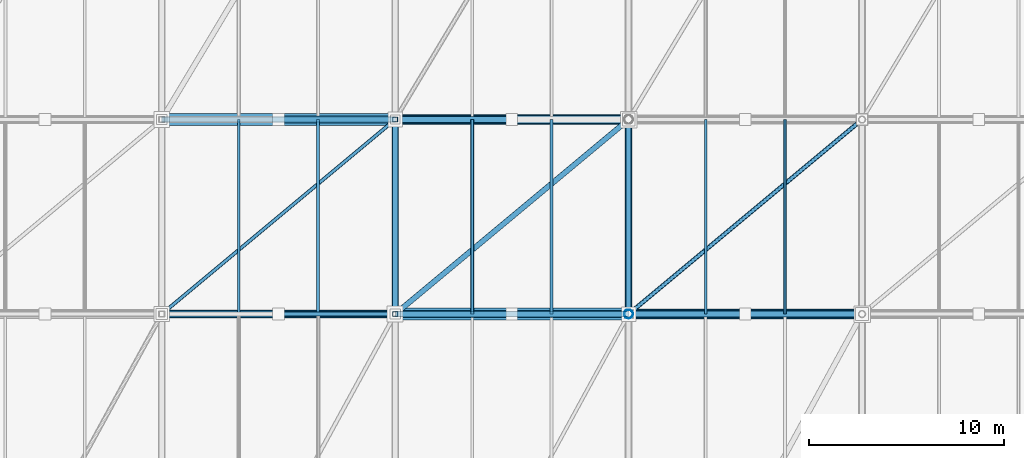
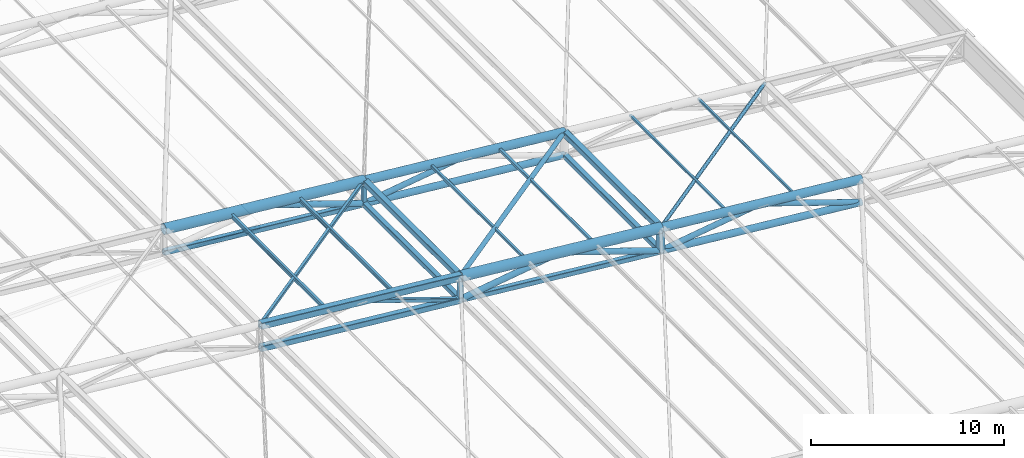
# One storey, part 21 of 44: 33 members.
"""IFC4 building model written with IfcOpenShell, lengths in metres."""

import ifcopenshell
import ifcopenshell.guid

model = None  # the IFC model being written
_history = None  # IfcOwnerHistory: only IFC2X3 demands one
_inside = {}  # id of a spatial element -> (the spatial element, [elements in it])
_under = {}  # id of a project, library or spatial element -> (it, [spatial elements below it])
_declared = {}  # id of a project -> (the project, [libraries it declares])
_typed = {}  # id of a type object -> (the type object, [elements of that type])
_made_of = {}  # id of a material, layer set ... -> (it, [elements and type objects made of it])


def new_model(schema):
    """Start an empty IFC model of exactly this schema.

    Asked for "IFC4X3", IfcOpenShell would pick the latest addendum, in which some entities
    have other attributes; the version numbers below select the first issue.
    IFC2X3 requires an IfcOwnerHistory on every rooted entity: one is made here for all.
    """
    global model, _history
    if schema == "IFC4X3":
        model = ifcopenshell.file(schema_version=(4, 3, 0, 0))
    else:
        model = ifcopenshell.file(schema=schema)
    _inside.clear()
    _under.clear()
    _declared.clear()
    _typed.clear()
    _made_of.clear()
    _history = None
    if model.schema == "IFC2X3":
        org = make("IfcOrganization", Name="unknown")
        user = make(
            "IfcPersonAndOrganization",
            ThePerson=make("IfcPerson", FamilyName="unknown"),
            TheOrganization=org,
        )
        app = make(
            "IfcApplication",
            ApplicationDeveloper=org,
            Version="unknown",
            ApplicationFullName="unknown",
            ApplicationIdentifier="unknown",
        )
        _history = make(
            "IfcOwnerHistory",
            OwningUser=user,
            OwningApplication=app,
            ChangeAction="ADDED",
            CreationDate=0,
        )
    return model


def make(cls, **values):
    """One entity of the class cls with the attributes given. An attribute that is None is left unset."""
    return model.create_entity(
        cls, **{name: value for name, value in values.items() if value is not None}
    )


def rooted(cls, **values):
    """An entity with a GlobalId (a new one), such as an element, a storey or a relation."""
    return make(cls, GlobalId=ifcopenshell.guid.new(), OwnerHistory=_history, **values)


def si_unit(unit_type, name, prefix=None):
    """IfcSIUnit, for example si_unit("LENGTHUNIT", "METRE", prefix="MILLI")."""
    return make("IfcSIUnit", UnitType=unit_type, Prefix=prefix, Name=name)


def assignment(units):
    """IfcUnitAssignment: the units of a project."""
    return None if units is None else make("IfcUnitAssignment", Units=units)


def point(xyz):
    """IfcCartesianPoint."""
    return None if xyz is None else make("IfcCartesianPoint", Coordinates=xyz)


def direction(xyz):
    """IfcDirection."""
    return None if xyz is None else make("IfcDirection", DirectionRatios=xyz)


def frame(location, z_axis=None, x_axis=None):
    """IfcAxis2Placement3D, a coordinate frame: its origin and axes. An axis left out is left unset."""
    return make(
        "IfcAxis2Placement3D",
        Location=point(location),
        Axis=direction(z_axis),
        RefDirection=direction(x_axis),
    )


def frame_2d(location, x_axis=None):
    """IfcAxis2Placement2D, a coordinate frame in the plane: its origin and x axis."""
    return make(
        "IfcAxis2Placement2D", Location=point(location), RefDirection=direction(x_axis)
    )


def origin():
    """The frame at (0, 0, 0) with its axes left unset."""
    return frame((0.0, 0.0, 0.0))


def origin_2d():
    """The frame at (0, 0) in the plane with its x axis left unset."""
    return frame_2d((0.0, 0.0))


def place(relative_to, where):
    """IfcLocalPlacement: puts the frame where relative to a parent placement (None: the world)."""
    return make(
        "IfcLocalPlacement", PlacementRelTo=relative_to, RelativePlacement=where
    )


def context(
    kind, dimensions, precision=None, world=None, true_north=None, identifier=None
):
    """IfcGeometricRepresentationContext, for example the 3D "Model" context."""
    return make(
        "IfcGeometricRepresentationContext",
        ContextIdentifier=identifier,
        ContextType=kind,
        CoordinateSpaceDimension=dimensions,
        Precision=precision,
        WorldCoordinateSystem=world,
        TrueNorth=true_north,
    )


def subcontext(parent, identifier, kind, view, scale=None):
    """IfcGeometricRepresentationSubContext, for example "Body" below "Model"."""
    return make(
        "IfcGeometricRepresentationSubContext",
        ContextIdentifier=identifier,
        ContextType=kind,
        ParentContext=parent,
        TargetScale=scale,
        TargetView=view,
    )


def project(units=None, contexts=None):
    """IfcProject with its units and contexts."""
    return rooted(
        "IfcProject",
        Name="project",
        RepresentationContexts=contexts,
        UnitsInContext=assignment(units),
    )


def spatial(cls, under=None, at=None, **own):
    """A site, building, storey or space (cls), placed at a placement, below another one or the project."""
    s = rooted(cls, ObjectPlacement=at, **own)
    if under is not None:
        _under.setdefault(under.id(), (under, []))[1].append(s)
    return s


def profile(cls, at=None, kind="AREA", **sizes):
    """A parametric profile (cls). Its sizes go by their IFC names, for example OverallWidth=200.0."""
    return make(cls, ProfileType=kind, Position=at, **sizes)


def hollow_rectangle(**sizes):
    """IfcRectangleHollowProfileDef."""
    return profile("IfcRectangleHollowProfileDef", **sizes)


def hollow_circle(**sizes):
    """IfcCircleHollowProfileDef."""
    return profile("IfcCircleHollowProfileDef", **sizes)


def i_section(**sizes):
    """IfcIShapeProfileDef."""
    return profile("IfcIShapeProfileDef", **sizes)


def extrude(swept, where, along, depth):
    """IfcExtrudedAreaSolid: the profile swept, set in the frame where, extruded along a direction by depth."""
    return make(
        "IfcExtrudedAreaSolid",
        SweptArea=swept,
        Position=where,
        ExtrudedDirection=direction(along),
        Depth=depth,
    )


def shape(context_of_items, identifier, shape_type, items):
    """IfcShapeRepresentation: the items that make up one representation, for example the "Body"."""
    return make(
        "IfcShapeRepresentation",
        ContextOfItems=context_of_items,
        RepresentationIdentifier=identifier,
        RepresentationType=shape_type,
        Items=items,
    )


def material(Name=None, Category=None):
    """IfcMaterial."""
    return make("IfcMaterial", Name=Name, Category=Category)


def material_profile(
    of_material, cross_section, Name=None, Category=None, Priority=None
):
    """IfcMaterialProfile: a cross section and its material."""
    return make(
        "IfcMaterialProfile",
        Name=Name,
        Material=of_material,
        Profile=cross_section,
        Priority=Priority,
        Category=Category,
    )


def profile_set(profiles, Name=None, composite=None):
    """IfcMaterialProfileSet."""
    return make(
        "IfcMaterialProfileSet",
        Name=Name,
        MaterialProfiles=profiles,
        CompositeProfile=composite,
    )


def made_of(thing, what):
    """Note that an element or type object is made of a material, layer set ...; save() writes the relation."""
    if what is not None:
        _made_of.setdefault(what.id(), (what, []))[1].append(thing)
    return thing


def type_object(cls, material=None, **own):
    """A type object (cls), such as IfcWallType, which elements share."""
    return made_of(rooted(cls, **own), material)


def element(
    cls,
    number,
    at=None,
    inside=None,
    cuts=None,
    type_object=None,
    material=None,
    context=None,
    identifier="Body",
    shape_type=None,
    held_by="IfcProductDefinitionShape",
    body=None,
    shapes=None,
    **own,
):
    """One element of the class cls, such as IfcWall. Its Tag is "e" and its number.

    at: its placement. inside: the storey or other place that contains it. cuts: it is an
    opening in that element (IfcRelVoidsElement). A single representation is given by context,
    identifier, shape_type and body (its items); several are given by shapes. held_by: the class
    of the entity that holds the representations. save() writes the other relations.
    """
    e = rooted(cls, Tag="e%d" % number, ObjectPlacement=at, **own)
    if body is not None:
        shapes = [shape(context, identifier, shape_type, body)]
    if shapes is not None:
        e.Representation = make(held_by, Representations=shapes)
    if inside is not None:
        _inside.setdefault(inside.id(), (inside, []))[1].append(e)
    if cuts is not None:
        rooted(
            "IfcRelVoidsElement", RelatingBuildingElement=cuts, RelatedOpeningElement=e
        )
    if type_object is not None:
        _typed.setdefault(type_object.id(), (type_object, []))[1].append(e)
    return made_of(e, material)


def aggregate(whole, parts):
    """IfcRelAggregates: a whole, such as a stair, and the parts it consists of."""
    return rooted("IfcRelAggregates", RelatingObject=whole, RelatedObjects=parts)


def save(model, path):
    """Write the relations noted so far, then the file.

    IfcRelAggregates (storeys below a building ...), IfcRelContainedInSpatialStructure (elements
    in a storey), IfcRelDefinesByType, IfcRelAssociatesMaterial and IfcRelDeclares: one each for
    every whole, place, type object, material and project.
    """
    for whole, parts in _under.values():
        aggregate(whole, parts)
    for where, things in _inside.values():
        rooted(
            "IfcRelContainedInSpatialStructure",
            RelatedElements=things,
            RelatingStructure=where,
        )
    for kind, things in _typed.values():
        rooted("IfcRelDefinesByType", RelatedObjects=things, RelatingType=kind)
    for what, things in _made_of.values():
        rooted("IfcRelAssociatesMaterial", RelatedObjects=things, RelatingMaterial=what)
    for by, libraries in _declared.values():
        rooted("IfcRelDeclares", RelatingContext=by, RelatedDefinitions=libraries)
    model.write(path)


model = new_model("IFC4")

# Units and contexts
model_context = context("Model", 3, precision=1e-05, world=origin(), true_north=direction((0.0, 1.0)))
body_context = subcontext(model_context, "Body", "Model", "MODEL_VIEW")
ifc_project = project(units=[si_unit("LENGTHUNIT", "METRE"), si_unit("AREAUNIT", "SQUARE_METRE"), si_unit("VOLUMEUNIT", "CUBIC_METRE"), si_unit("PLANEANGLEUNIT", "RADIAN"), si_unit("MASSUNIT", "GRAM", prefix="KILO")], contexts=[model_context])

# Site, building, storey
site_placement = place(None, origin())
site = spatial("IfcSite", under=ifc_project, at=site_placement, CompositionType="ELEMENT")
building_placement = place(site_placement, origin())
building = spatial("IfcBuilding", under=site, at=building_placement, Name="Brinegate Civic Arena", CompositionType="ELEMENT")
storey_placement = place(building_placement, frame((0.0, 0.0, 29.39990234375)))
storey = spatial("IfcBuildingStorey", under=building, at=storey_placement, Name="RF", CompositionType="ELEMENT", Elevation=29.39990234375)

# Members
ifc_material = material(Name="Steel S355", Category="steel")
ifc_material_profile_1 = material_profile(ifc_material, hollow_rectangle(XDim=0.139892578125, YDim=0.139892578125, WallThickness=0.008056640625, InnerFilletRadius=0.008056640625, OuterFilletRadius=0.01611328125, at=origin_2d()), Name="SHS140X8")
ifc_profile_set_1 = profile_set([ifc_material_profile_1], Name="Steel S355")
member_type_1 = type_object("IfcMemberType", Name="RF-PURLIN-SHS140", PredefinedType="PURLIN", material=ifc_profile_set_1)
for number, where, z_axis, x_axis, name in (
    (1, (135.9599609375, 42.0, 3.47412109375), (0.0, 1.0, 0.0), (-1.0, 0.0, 0.0), "Roof Purlin RFP-051"),
    (2, (140.0400390625, 42.0, 3.091064453125), (0.0, 1.0, 0.0), (-1.0, 0.0, 0.0), "Roof Purlin RFP-052"),
):
    element("IfcMember", number, at=place(storey_placement, frame(where, z_axis=z_axis, x_axis=x_axis)), inside=storey, type_object=member_type_1, Name=name, PredefinedType="PURLIN", context=body_context, shape_type="SweptSolid", body=[
        extrude(hollow_rectangle(XDim=0.139892578125, YDim=0.139892578125, WallThickness=0.008056640625, InnerFilletRadius=0.008056640625, OuterFilletRadius=0.01611328125, at=origin_2d()), origin(), (0.0, 0.0, 1.0), 10.0),
    ])
ifc_material_profile_2 = material_profile(ifc_material, hollow_rectangle(XDim=0.159912109375, YDim=0.159912109375, WallThickness=0.008056640625, InnerFilletRadius=0.008056640625, OuterFilletRadius=0.01611328125, at=origin_2d()), Name="SHS160X8")
ifc_profile_set_2 = profile_set([ifc_material_profile_2], Name="Steel S355")
member_type_2 = type_object("IfcMemberType", Name="RF-PURLIN-SHS160", PredefinedType="PURLIN", material=ifc_profile_set_2)
for number, where, z_axis, x_axis, name in (
    (3, (123.9599609375, 42.0, 4.589111328125), (0.0, 1.0, 0.0), (-1.0, 0.0, 0.0), "Roof Purlin RFP-049"),
    (4, (128.0400390625, 42.0, 4.2060546875), (0.0, 1.0, 0.0), (-1.0, 0.0, 0.0), "Roof Purlin RFP-050"),
):
    element("IfcMember", number, at=place(storey_placement, frame(where, z_axis=z_axis, x_axis=x_axis)), inside=storey, type_object=member_type_2, Name=name, PredefinedType="PURLIN", context=body_context, shape_type="SweptSolid", body=[
        extrude(hollow_rectangle(XDim=0.159912109375, YDim=0.159912109375, WallThickness=0.008056640625, InnerFilletRadius=0.008056640625, OuterFilletRadius=0.01611328125, at=origin_2d()), origin(), (0.0, 0.0, 1.0), 10.0),
    ])
ifc_material_profile_3 = material_profile(ifc_material, i_section(OverallWidth=0.14794921875, OverallDepth=0.26611328125, WebThickness=0.008056640625, FlangeThickness=0.012939453125, FilletRadius=0.011962890625, at=origin_2d()), Name="W250X45")
ifc_profile_set_3 = profile_set([ifc_material_profile_3], Name="Steel S355")
member_type_3 = type_object("IfcMemberType", Name="RF-PURLIN-W250", PredefinedType="PURLIN", material=ifc_profile_set_3)
for number, where, z_axis, x_axis, name in (
    (5, (111.9599609375, 42.0, 5.6611328125), (0.0, 1.0, 0.0), (-1.0, 0.0, 0.0), "Roof Purlin RFP-047"),
    (6, (116.0400390625, 42.0, 5.278076171875), (0.0, 1.0, 0.0), (-1.0, 0.0, 0.0), "Roof Purlin RFP-048"),
):
    element("IfcMember", number, at=place(storey_placement, frame(where, z_axis=z_axis, x_axis=x_axis)), inside=storey, type_object=member_type_3, Name=name, PredefinedType="PURLIN", context=body_context, shape_type="SweptSolid", body=[
        extrude(i_section(OverallWidth=0.14794921875, OverallDepth=0.26611328125, WebThickness=0.008056640625, FlangeThickness=0.012939453125, FilletRadius=0.011962890625, at=origin_2d()), origin(), (0.0, 0.0, 1.0), 10.0),
    ])
ifc_material_profile_4 = material_profile(ifc_material, hollow_circle(Radius=0.109619140625, WallThickness=0.010009765625, at=origin_2d()), Name="CHS219X10")
ifc_profile_set_4 = profile_set([ifc_material_profile_4], Name="Steel S355")
member_type_4 = type_object("IfcMemberType", Name="SF-BRACE-CHS219", PredefinedType="BRACE", material=ifc_profile_set_4)
member_1_placement = place(storey_placement, frame((132.0, 42.0, 3.800048828125), z_axis=(0.766236619907, 0.638530516589, -0.071834683116), x_axis=(-0.640184399664, 0.768221279597, 0.0)))
element("IfcMember", 7, at=member_1_placement, inside=storey, type_object=member_type_4, Name="Roof Plan Diagonal Brace PL-3-8", PredefinedType="BRACE", context=body_context, shape_type="SweptSolid", body=[
    extrude(hollow_circle(Radius=0.109619140625, WallThickness=0.010009765625, at=origin_2d()), origin(), (0.0, 0.0, 1.0), 15.660888671875),
])
ifc_material_profile_5 = material_profile(ifc_material, hollow_circle(Radius=0.136474609375, WallThickness=0.011962890625, at=origin_2d()), Name="CHS273X12")
ifc_profile_set_5 = profile_set([ifc_material_profile_5], Name="Steel S355")
member_type_5 = type_object("IfcMemberType", Name="SF-BRACE-CHS273", PredefinedType="BRACE", material=ifc_profile_set_5)
member_2_placement = place(storey_placement, frame((120.0, 42.0, 4.925048828125), z_axis=(0.766236619907, 0.638530516589, -0.071834683116), x_axis=(-0.640184399664, 0.768221279597, 0.0)))
element("IfcMember", 8, at=member_2_placement, inside=storey, type_object=member_type_5, Name="Roof Plan Diagonal Brace PL-3-7", PredefinedType="BRACE", context=body_context, shape_type="SweptSolid", body=[
    extrude(hollow_circle(Radius=0.136474609375, WallThickness=0.011962890625, at=origin_2d()), origin(), (0.0, 0.0, 1.0), 15.660888671875),
])
ifc_material_profile_6 = material_profile(ifc_material, hollow_circle(Radius=0.162109375, WallThickness=0.011962890625, at=origin_2d()), Name="CHS324X12")
ifc_profile_set_6 = profile_set([ifc_material_profile_6], Name="Steel S355")
member_type_6 = type_object("IfcMemberType", Name="SF-BRACE-CHS324", PredefinedType="BRACE", material=ifc_profile_set_6)
member_3_placement = place(storey_placement, frame((132.0, 42.0, 2.35009765625), z_axis=(0.989226142737, 0.0, 0.1463954867), x_axis=(0.0, 1.0, 0.0)))
element("IfcMember", 9, at=member_3_placement, inside=storey, type_object=member_type_6, Name="Space Frame Web Brace D1-3-8", PredefinedType="BRACE", context=body_context, shape_type="SweptSolid", body=[
    extrude(hollow_circle(Radius=0.162109375, WallThickness=0.011962890625, at=origin_2d()), origin(), (0.0, 0.0, 1.0), 6.0654296875),
])
member_4_placement = place(storey_placement, frame((138.0, 42.0, 3.238037109375), z_axis=(0.948068139281, 0.0, -0.318067293635), x_axis=(0.0, 1.0, 0.0)))
element("IfcMember", 10, at=member_4_placement, inside=storey, type_object=member_type_6, Name="Space Frame Web Brace D2-3-8", PredefinedType="BRACE", context=body_context, shape_type="SweptSolid", body=[
    extrude(hollow_circle(Radius=0.162109375, WallThickness=0.011962890625, at=origin_2d()), origin(), (0.0, 0.0, 1.0), 6.32861328125),
])
member_5_placement = place(storey_placement, frame((120.0, 52.0, 3.47509765625), z_axis=(0.989226142737, 0.0, 0.1463954867), x_axis=(0.0, 1.0, 0.0)))
element("IfcMember", 11, at=member_5_placement, inside=storey, type_object=member_type_6, Name="Space Frame Web Brace D1-4-7", PredefinedType="BRACE", context=body_context, shape_type="SweptSolid", body=[
    extrude(hollow_circle(Radius=0.162109375, WallThickness=0.011962890625, at=origin_2d()), origin(), (0.0, 0.0, 1.0), 6.0654296875),
])
ifc_material_profile_7 = material_profile(ifc_material, hollow_circle(Radius=0.177978515625, WallThickness=0.013916015625, at=origin_2d()), Name="CHS356X14")
ifc_profile_set_7 = profile_set([ifc_material_profile_7], Name="Steel S355")
member_type_7 = type_object("IfcMemberType", Name="SF-BRACE-CHS356", PredefinedType="BRACE", material=ifc_profile_set_7)
member_6_placement = place(storey_placement, frame((120.0, 42.0, 3.47509765625), z_axis=(0.989226142737, 0.0, 0.1463954867), x_axis=(0.0, 1.0, 0.0)))
element("IfcMember", 12, at=member_6_placement, inside=storey, type_object=member_type_7, Name="Space Frame Web Brace D1-3-7", PredefinedType="BRACE", context=body_context, shape_type="SweptSolid", body=[
    extrude(hollow_circle(Radius=0.177978515625, WallThickness=0.013916015625, at=origin_2d()), origin(), (0.0, 0.0, 1.0), 6.0654296875),
])
for number, where, z_axis, x_axis, name in (
    (13, (126.0, 42.0, 4.363037109375), (0.948068139281, 0.0, -0.318067293635), (0.0, 1.0, 0.0), "Space Frame Web Brace D2-3-7"),
    (14, (114.0, 52.0, 5.488037109375), (0.948068139281, 0.0, -0.318067293635), (0.0, 1.0, 0.0), "Space Frame Web Brace D2-4-6"),
):
    element("IfcMember", number, at=place(storey_placement, frame(where, z_axis=z_axis, x_axis=x_axis)), inside=storey, type_object=member_type_7, Name=name, PredefinedType="BRACE", context=body_context, shape_type="SweptSolid", body=[
        extrude(hollow_circle(Radius=0.177978515625, WallThickness=0.013916015625, at=origin_2d()), origin(), (0.0, 0.0, 1.0), 6.32861328125),
    ])
ifc_material_profile_8 = material_profile(ifc_material, hollow_rectangle(XDim=0.179931640625, YDim=0.179931640625, WallThickness=0.010009765625, InnerFilletRadius=0.010009765625, OuterFilletRadius=0.02001953125, at=origin_2d()), Name="SHS180X10")
ifc_profile_set_8 = profile_set([ifc_material_profile_8], Name="Steel S355")
member_type_8 = type_object("IfcMemberType", Name="SF-BRACE-SHS180", PredefinedType="BRACE", material=ifc_profile_set_8)
member_7_placement = place(storey_placement, frame((108.0, 42.0, 6.050048828125), z_axis=(0.766236619907, 0.638530516589, -0.071834683116), x_axis=(-0.640184399664, 0.768221279597, 0.0)))
element("IfcMember", 15, at=member_7_placement, inside=storey, type_object=member_type_8, Name="Roof Plan Diagonal Brace PL-3-6", PredefinedType="BRACE", context=body_context, shape_type="SweptSolid", body=[
    extrude(hollow_rectangle(XDim=0.179931640625, YDim=0.179931640625, WallThickness=0.010009765625, InnerFilletRadius=0.010009765625, OuterFilletRadius=0.02001953125, at=origin_2d()), origin(), (0.0, 0.0, 1.0), 15.660888671875),
])
ifc_material_profile_9 = material_profile(ifc_material, hollow_rectangle(XDim=0.219970703125, YDim=0.219970703125, WallThickness=0.011962890625, InnerFilletRadius=0.011962890625, OuterFilletRadius=0.02392578125, at=origin_2d()), Name="SHS220X12")
ifc_profile_set_9 = profile_set([ifc_material_profile_9], Name="Steel S355")
member_type_9 = type_object("IfcMemberType", Name="SF-BRACE-SHS220", PredefinedType="BRACE", material=ifc_profile_set_9)
member_8_placement = place(storey_placement, frame((114.0, 42.0, 5.488037109375), z_axis=(0.948068139281, 0.0, -0.318067293635), x_axis=(0.0, 1.0, 0.0)))
element("IfcMember", 16, at=member_8_placement, inside=storey, type_object=member_type_9, Name="Space Frame Web Brace D2-3-6", PredefinedType="BRACE", context=body_context, shape_type="SweptSolid", body=[
    extrude(hollow_rectangle(XDim=0.219970703125, YDim=0.219970703125, WallThickness=0.011962890625, InnerFilletRadius=0.011962890625, OuterFilletRadius=0.02392578125, at=origin_2d()), origin(), (0.0, 0.0, 1.0), 6.32861328125),
])
ifc_material_profile_10 = material_profile(ifc_material, hollow_circle(Radius=0.202880859375, WallThickness=0.01611328125, at=origin_2d()), Name="CHS406X16")
ifc_profile_set_10 = profile_set([ifc_material_profile_10], Name="Steel S355")
member_type_10 = type_object("IfcMemberType", Name="SF-CHORD-CHS406", PredefinedType="CHORD", material=ifc_profile_set_10)
for number, where, z_axis, x_axis, name in (
    (17, (132.0, 42.0, 2.35009765625), (0.995634226059, 0.0, -0.093340708693), (0.0, 1.0, 0.0), "Space Frame Bottom Chord BX-3-8"),
    (18, (120.0, 52.0, 3.47509765625), (0.995634226059, 0.0, -0.093340708693), (0.0, 1.0, 0.0), "Space Frame Bottom Chord BX-4-7"),
):
    element("IfcMember", number, at=place(storey_placement, frame(where, z_axis=z_axis, x_axis=x_axis)), inside=storey, type_object=member_type_10, Name=name, PredefinedType="CHORD", context=body_context, shape_type="SweptSolid", body=[
        extrude(hollow_circle(Radius=0.202880859375, WallThickness=0.01611328125, at=origin_2d()), origin(), (0.0, 0.0, 1.0), 12.052734375),
    ])
ifc_material_profile_11 = material_profile(ifc_material, hollow_circle(Radius=0.25390625, WallThickness=0.02001953125, at=origin_2d()), Name="CHS508X20")
ifc_profile_set_11 = profile_set([ifc_material_profile_11], Name="Steel S355")
member_type_11 = type_object("IfcMemberType", Name="SF-CHORD-CHS508", PredefinedType="CHORD", material=ifc_profile_set_11)
for number, where, z_axis, x_axis, name in (
    (19, (132.0, 42.0, 3.800048828125), (0.995634226059, 0.0, -0.093340708693), (0.0, 1.0, 0.0), "Space Frame Top Chord TX-3-8"),
    (20, (120.0, 52.0, 4.925048828125), (0.995634226059, 0.0, -0.093340708693), (0.0, 1.0, 0.0), "Space Frame Top Chord TX-4-7"),
):
    element("IfcMember", number, at=place(storey_placement, frame(where, z_axis=z_axis, x_axis=x_axis)), inside=storey, type_object=member_type_11, Name=name, PredefinedType="CHORD", context=body_context, shape_type="SweptSolid", body=[
        extrude(hollow_circle(Radius=0.25390625, WallThickness=0.02001953125, at=origin_2d()), origin(), (0.0, 0.0, 1.0), 12.052734375),
    ])
ifc_material_profile_12 = material_profile(ifc_material, hollow_circle(Radius=0.304931640625, WallThickness=0.02490234375, at=origin_2d()), Name="CHS610X25")
ifc_profile_set_12 = profile_set([ifc_material_profile_12], Name="Steel S355")
member_type_12 = type_object("IfcMemberType", Name="SF-CHORD-CHS610", PredefinedType="CHORD", material=ifc_profile_set_12)
for number, where, z_axis, x_axis, name in (
    (21, (120.0, 42.0, 4.925048828125), (0.995634226059, 0.0, -0.093340708693), (0.0, 1.0, 0.0), "Space Frame Top Chord TX-3-7"),
    (22, (108.0, 52.0, 6.050048828125), (0.995634226059, 0.0, -0.093340708693), (0.0, 1.0, 0.0), "Space Frame Top Chord TX-4-6"),
):
    element("IfcMember", number, at=place(storey_placement, frame(where, z_axis=z_axis, x_axis=x_axis)), inside=storey, type_object=member_type_12, Name=name, PredefinedType="CHORD", context=body_context, shape_type="SweptSolid", body=[
        extrude(hollow_circle(Radius=0.304931640625, WallThickness=0.02490234375, at=origin_2d()), origin(), (0.0, 0.0, 1.0), 12.052734375),
    ])
ifc_material_profile_13 = material_profile(ifc_material, hollow_rectangle(XDim=0.300048828125, YDim=0.300048828125, WallThickness=0.01611328125, InnerFilletRadius=0.01611328125, OuterFilletRadius=0.031982421875, at=origin_2d()), Name="SHS300X16")
ifc_profile_set_13 = profile_set([ifc_material_profile_13], Name="Steel S355")
member_type_13 = type_object("IfcMemberType", Name="SF-CHORD-SHS300", PredefinedType="CHORD", material=ifc_profile_set_13)
for number, where, z_axis, x_axis, name in (
    (23, (120.0, 42.0, 3.47509765625), (0.995634226059, 0.0, -0.093340708693), (0.0, 1.0, 0.0), "Space Frame Bottom Chord BX-3-7"),
    (24, (108.0, 52.0, 4.60009765625), (0.995634226059, 0.0, -0.093340708693), (0.0, 1.0, 0.0), "Space Frame Bottom Chord BX-4-6"),
):
    element("IfcMember", number, at=place(storey_placement, frame(where, z_axis=z_axis, x_axis=x_axis)), inside=storey, type_object=member_type_13, Name=name, PredefinedType="CHORD", context=body_context, shape_type="SweptSolid", body=[
        extrude(hollow_rectangle(XDim=0.300048828125, YDim=0.300048828125, WallThickness=0.01611328125, InnerFilletRadius=0.01611328125, OuterFilletRadius=0.031982421875, at=origin_2d()), origin(), (0.0, 0.0, 1.0), 12.052734375),
    ])
for number, where, z_axis, x_axis, name in (
    (25, (120.0, 42.0, 3.47509765625), (0.0, 1.0, 0.0), (-1.0, 0.0, 0.0), "Space Frame Cross Bottom Chord BY-3-7"),
    (26, (132.0, 42.0, 2.35009765625), (0.0, 1.0, 0.0), (-1.0, 0.0, 0.0), "Space Frame Cross Bottom Chord BY-3-8"),
):
    element("IfcMember", number, at=place(storey_placement, frame(where, z_axis=z_axis, x_axis=x_axis)), inside=storey, type_object=member_type_13, Name=name, PredefinedType="CHORD", context=body_context, shape_type="SweptSolid", body=[
        extrude(hollow_rectangle(XDim=0.300048828125, YDim=0.300048828125, WallThickness=0.01611328125, InnerFilletRadius=0.01611328125, OuterFilletRadius=0.031982421875, at=origin_2d()), origin(), (0.0, 0.0, 1.0), 10.0),
    ])
ifc_material_profile_14 = material_profile(ifc_material, hollow_rectangle(XDim=0.35009765625, YDim=0.35009765625, WallThickness=0.01611328125, InnerFilletRadius=0.01611328125, OuterFilletRadius=0.031982421875, at=origin_2d()), Name="SHS350X16")
ifc_profile_set_14 = profile_set([ifc_material_profile_14], Name="Steel S355")
member_type_14 = type_object("IfcMemberType", Name="SF-CHORD-SHS350", PredefinedType="CHORD", material=ifc_profile_set_14)
member_9_placement = place(storey_placement, frame((108.0, 42.0, 4.60009765625), z_axis=(0.995634226059, 0.0, -0.093340708693), x_axis=(0.0, 1.0, 0.0)))
element("IfcMember", 27, at=member_9_placement, inside=storey, type_object=member_type_14, Name="Space Frame Bottom Chord BX-3-6", PredefinedType="CHORD", context=body_context, shape_type="SweptSolid", body=[
    extrude(hollow_rectangle(XDim=0.35009765625, YDim=0.35009765625, WallThickness=0.01611328125, InnerFilletRadius=0.01611328125, OuterFilletRadius=0.031982421875, at=origin_2d()), origin(), (0.0, 0.0, 1.0), 12.052734375),
])
for number, where, z_axis, x_axis, name in (
    (28, (120.0, 42.0, 4.925048828125), (0.0, 1.0, 0.0), (-1.0, 0.0, 0.0), "Space Frame Cross Top Chord TY-3-7"),
    (29, (132.0, 42.0, 3.800048828125), (0.0, 1.0, 0.0), (-1.0, 0.0, 0.0), "Space Frame Cross Top Chord TY-3-8"),
):
    element("IfcMember", number, at=place(storey_placement, frame(where, z_axis=z_axis, x_axis=x_axis)), inside=storey, type_object=member_type_14, Name=name, PredefinedType="CHORD", context=body_context, shape_type="SweptSolid", body=[
        extrude(hollow_rectangle(XDim=0.35009765625, YDim=0.35009765625, WallThickness=0.01611328125, InnerFilletRadius=0.01611328125, OuterFilletRadius=0.031982421875, at=origin_2d()), origin(), (0.0, 0.0, 1.0), 10.0),
    ])
ifc_material_profile_15 = material_profile(ifc_material, hollow_rectangle(XDim=0.39990234375, YDim=0.39990234375, WallThickness=0.02001953125, InnerFilletRadius=0.02001953125, OuterFilletRadius=0.0400390625, at=origin_2d()), Name="SHS400X20")
ifc_profile_set_15 = profile_set([ifc_material_profile_15], Name="Steel S355")
member_type_15 = type_object("IfcMemberType", Name="SF-CHORD-SHS400", PredefinedType="CHORD", material=ifc_profile_set_15)
member_10_placement = place(storey_placement, frame((108.0, 42.0, 6.050048828125), z_axis=(0.995634226059, 0.0, -0.093340708693), x_axis=(0.0, 1.0, 0.0)))
element("IfcMember", 30, at=member_10_placement, inside=storey, type_object=member_type_15, Name="Space Frame Top Chord TX-3-6", PredefinedType="CHORD", context=body_context, shape_type="SweptSolid", body=[
    extrude(hollow_rectangle(XDim=0.39990234375, YDim=0.39990234375, WallThickness=0.02001953125, InnerFilletRadius=0.02001953125, OuterFilletRadius=0.0400390625, at=origin_2d()), origin(), (0.0, 0.0, 1.0), 12.052734375),
])
ifc_material_profile_16 = material_profile(ifc_material, hollow_circle(Radius=0.228515625, WallThickness=0.01611328125, at=origin_2d()), Name="CHS457X16")
ifc_profile_set_16 = profile_set([ifc_material_profile_16], Name="Steel S355")
member_type_16 = type_object("IfcMemberType", Name="SF-STRUT-CHS457", PredefinedType="STRUT", material=ifc_profile_set_16)
member_11_placement = place(storey_placement, frame((132.0, 42.0, 2.35009765625), z_axis=(0.0, 0.0, 1.0), x_axis=(1.0, 0.0, 0.0)))
element("IfcMember", 31, at=member_11_placement, inside=storey, type_object=member_type_16, Name="Space Frame Vertical Post V-3-8", PredefinedType="STRUT", context=body_context, shape_type="SweptSolid", body=[
    extrude(hollow_circle(Radius=0.228515625, WallThickness=0.01611328125, at=origin_2d()), origin(), (0.0, 0.0, 1.0), 1.449951171875),
])
ifc_material_profile_17 = material_profile(ifc_material, hollow_rectangle(XDim=0.25, YDim=0.25, WallThickness=0.011962890625, InnerFilletRadius=0.011962890625, OuterFilletRadius=0.02392578125, at=origin_2d()), Name="SHS250X12")
ifc_profile_set_17 = profile_set([ifc_material_profile_17], Name="Steel S355")
member_type_17 = type_object("IfcMemberType", Name="SF-STRUT-SHS250", PredefinedType="STRUT", material=ifc_profile_set_17)
for number, where, z_axis, x_axis, name in (
    (32, (120.0, 42.0, 3.47509765625), (0.0, 0.0, 1.0), (1.0, 0.0, 0.0), "Space Frame Vertical Post V-3-7"),
    (33, (120.0, 52.0, 3.47509765625), (0.0, 0.0, 1.0), (1.0, 0.0, 0.0), "Space Frame Vertical Post V-4-7"),
):
    element("IfcMember", number, at=place(storey_placement, frame(where, z_axis=z_axis, x_axis=x_axis)), inside=storey, type_object=member_type_17, Name=name, PredefinedType="STRUT", context=body_context, shape_type="SweptSolid", body=[
        extrude(hollow_rectangle(XDim=0.25, YDim=0.25, WallThickness=0.011962890625, InnerFilletRadius=0.011962890625, OuterFilletRadius=0.02392578125, at=origin_2d()), origin(), (0.0, 0.0, 1.0), 1.449951171875),
    ])

save(model, "model.ifc")
